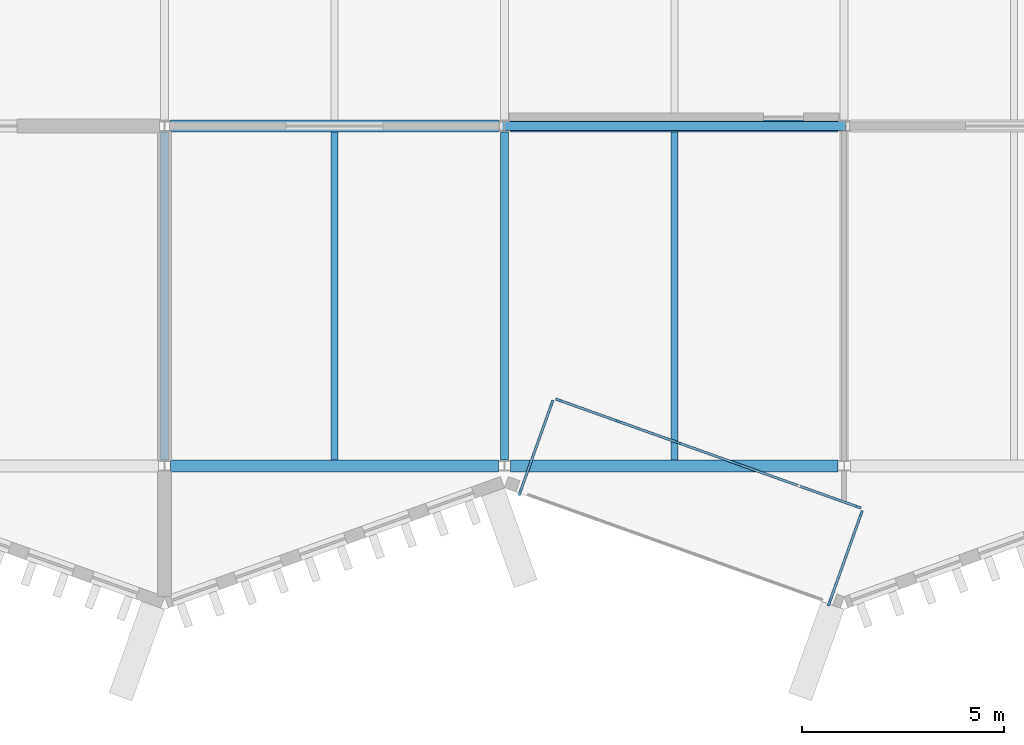
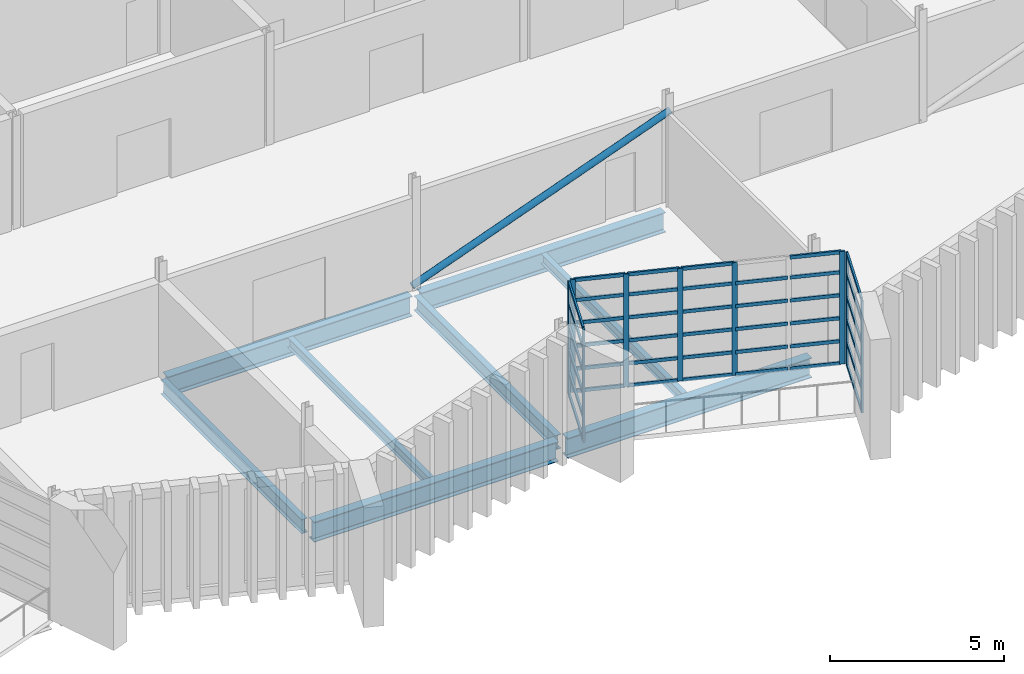
# One storey, part 18 of 88: 51 members, 8 beams, 3 elements without a shape of their own.
"""IFC4 building model written with IfcOpenShell, lengths in metres."""

from ifc_helpers import new_model, si_unit, direction, frame, origin, origin_2d, place, context, subcontext, project, spatial, rectangle, hollow_circle, i_section, extrude, material, layer, layer_set, material_profile, profile_set, type_object, element, aggregate, save


model = new_model("IFC4")

# Units and contexts
model_context = context("Model", 3, precision=1e-05, world=origin(), true_north=direction((0.0, 1.0)))
body_context = subcontext(model_context, "Body", "Model", "MODEL_VIEW")
ifc_project = project(units=[si_unit("LENGTHUNIT", "METRE"), si_unit("AREAUNIT", "SQUARE_METRE"), si_unit("VOLUMEUNIT", "CUBIC_METRE"), si_unit("PLANEANGLEUNIT", "RADIAN"), si_unit("MASSUNIT", "GRAM", prefix="KILO")], contexts=[model_context])

# Site, building, storey
site_placement = place(None, origin())
site = spatial("IfcSite", under=ifc_project, at=site_placement, CompositionType="ELEMENT")
building_placement = place(site_placement, origin())
building = spatial("IfcBuilding", under=site, at=building_placement, Name="Cresset Court Congress Hotel", CompositionType="ELEMENT")
storey_placement = place(building_placement, frame((0.0, 0.0, 14.39990234375)))
storey = spatial("IfcBuildingStorey", under=building, at=storey_placement, Name="L03", CompositionType="ELEMENT", Elevation=14.39990234375)

# Curtain wall, members
ifc_material_1 = material(Name="Aluminium frame with double glazing", Category="aluminium")
ifc_layer = layer(ifc_material_1, 0.199951171875)
ifc_layer_set = layer_set([ifc_layer], Name="Glazed box curtain wall 1680 module")
curtain_wall_type = type_object("IfcCurtainWallType", Name="Glazed box curtain wall 1680 module", PredefinedType="NOTDEFINED", material=ifc_layer_set)
curtain_wall_1_placement = place(storey_placement, origin())
curtain_wall_1 = element("IfcCurtainWall", 1, at=curtain_wall_1_placement, inside=storey, type_object=curtain_wall_type, Name="Glazed box S0308 front", PredefinedType="NOTDEFINED")
ifc_material_2 = material(Name="Aluminium", Category="aluminium")
ifc_material_profile_1 = material_profile(ifc_material_2, rectangle(XDim=0.06005859375, YDim=0.159912109375, at=origin_2d()), Name="Box mullion 60x160")
ifc_profile_set_1 = profile_set([ifc_material_profile_1], Name="Aluminium")
member_type_1 = type_object("IfcMemberType", Name="Box mullion 60x160", PredefinedType="MULLION", material=ifc_profile_set_1)
member_1_placement = place(storey_placement, frame((51.739990234375, 1.6259765625, 0.0), z_axis=(0.0, 0.0, 1.0), x_axis=(0.336336396981, 0.941741911601, 0.0)))
member_1 = element("IfcMember", 2, at=member_1_placement, type_object=member_type_1, Name="B-X1 mullion 1", PredefinedType="MULLION", context=body_context, shape_type="SweptSolid", body=[
    extrude(rectangle(XDim=0.06005859375, YDim=0.159912109375, at=origin_2d()), origin(), (0.0, 0.0, 1.0), 3.9501953125),
])
member_2_placement = place(storey_placement, frame((53.203369140625, 1.103515625, 0.0), z_axis=(0.0, 0.0, 1.0), x_axis=(0.336336396981, 0.941741911601, 0.0)))
member_2 = element("IfcMember", 3, at=member_2_placement, type_object=member_type_1, Name="B-X1 mullion 2", PredefinedType="MULLION", context=body_context, shape_type="SweptSolid", body=[
    extrude(rectangle(XDim=0.06005859375, YDim=0.159912109375, at=origin_2d()), origin(), (0.0, 0.0, 1.0), 3.9501953125),
])
member_3_placement = place(storey_placement, frame((54.695068359375, 0.57080078125, 0.0), z_axis=(0.0, 0.0, 1.0), x_axis=(0.336336396981, 0.941741911601, 0.0)))
member_3 = element("IfcMember", 4, at=member_3_placement, type_object=member_type_1, Name="B-X1 mullion 3", PredefinedType="MULLION", context=body_context, shape_type="SweptSolid", body=[
    extrude(rectangle(XDim=0.06005859375, YDim=0.159912109375, at=origin_2d()), origin(), (0.0, 0.0, 1.0), 3.9501953125),
])
member_4_placement = place(storey_placement, frame((56.186767578125, 0.0380859375, 0.0), z_axis=(0.0, 0.0, 1.0), x_axis=(0.336336396981, 0.941741911601, 0.0)))
member_4 = element("IfcMember", 5, at=member_4_placement, type_object=member_type_1, Name="B-X1 mullion 4", PredefinedType="MULLION", context=body_context, shape_type="SweptSolid", body=[
    extrude(rectangle(XDim=0.06005859375, YDim=0.159912109375, at=origin_2d()), origin(), (0.0, 0.0, 1.0), 3.9501953125),
])
member_5_placement = place(storey_placement, frame((59.1416015625, -1.017333984375, 0.0), z_axis=(0.0, 0.0, 1.0), x_axis=(0.336336396981, 0.941741911601, 0.0)))
member_5 = element("IfcMember", 6, at=member_5_placement, type_object=member_type_1, Name="B-X1 mullion 6", PredefinedType="MULLION", context=body_context, shape_type="SweptSolid", body=[
    extrude(rectangle(XDim=0.06005859375, YDim=0.159912109375, at=origin_2d()), origin(), (0.0, 0.0, 1.0), 3.9501953125),
])

curtain_wall_2_placement = place(storey_placement, origin())
curtain_wall_2 = element("IfcCurtainWall", 7, at=curtain_wall_2_placement, inside=storey, type_object=curtain_wall_type, Name="Glazed box S0308 side", PredefinedType="NOTDEFINED")
member_6_placement = place(storey_placement, frame((50.786865234375, -0.65625, 0.0), z_axis=(0.0, 0.0, 1.0), x_axis=(-0.941741911707, 0.336336396685, 0.0)))
member_6 = element("IfcMember", 8, at=member_6_placement, type_object=member_type_1, Name="B-X1 mullion 1", PredefinedType="MULLION", context=body_context, shape_type="SweptSolid", body=[
    extrude(rectangle(XDim=0.06005859375, YDim=0.159912109375, at=origin_2d()), origin(), (0.0, 0.0, 1.0), 3.9501953125),
])
member_7_placement = place(storey_placement, frame((51.57373046875, 1.54736328125, 0.0), z_axis=(0.0, 0.0, 1.0), x_axis=(-0.941741911707, 0.336336396685, 0.0)))
member_7 = element("IfcMember", 9, at=member_7_placement, type_object=member_type_1, Name="B-X1 mullion 2", PredefinedType="MULLION", context=body_context, shape_type="SweptSolid", body=[
    extrude(rectangle(XDim=0.06005859375, YDim=0.159912109375, at=origin_2d()), origin(), (0.0, 0.0, 1.0), 3.9501953125),
])

curtain_wall_3_placement = place(storey_placement, origin())
curtain_wall_3 = element("IfcCurtainWall", 10, at=curtain_wall_3_placement, inside=storey, type_object=curtain_wall_type, Name="Glazed box S0308 side", PredefinedType="NOTDEFINED")
member_8_placement = place(storey_placement, frame((58.433349609375, -3.38720703125, 0.0), z_axis=(0.0, 0.0, 1.0), x_axis=(-0.941741911578, 0.336336397047, 0.0)))
member_8 = element("IfcMember", 11, at=member_8_placement, type_object=member_type_1, Name="B-X1 mullion 1", PredefinedType="MULLION", context=body_context, shape_type="SweptSolid", body=[
    extrude(rectangle(XDim=0.06005859375, YDim=0.159912109375, at=origin_2d()), origin(), (0.0, 0.0, 1.0), 3.9501953125),
])
member_9_placement = place(storey_placement, frame((59.220458984375, -1.18359375, 0.0), z_axis=(0.0, 0.0, 1.0), x_axis=(-0.941741911578, 0.336336397047, 0.0)))
member_9 = element("IfcMember", 12, at=member_9_placement, type_object=member_type_1, Name="B-X1 mullion 2", PredefinedType="MULLION", context=body_context, shape_type="SweptSolid", body=[
    extrude(rectangle(XDim=0.06005859375, YDim=0.159912109375, at=origin_2d()), origin(), (0.0, 0.0, 1.0), 3.9501953125),
])

# Member
ifc_material_3 = material(Name="Aluminium", Category="aluminium")
ifc_material_profile_2 = material_profile(ifc_material_3, rectangle(XDim=0.06005859375, YDim=0.1201171875, at=origin_2d()), Name="Box transom 60x120")
ifc_profile_set_2 = profile_set([ifc_material_profile_2], Name="Aluminium")
member_type_2 = type_object("IfcMemberType", Name="Box transom 60x120", PredefinedType="USERDEFINED", material=ifc_profile_set_2)
member_10_placement = place(storey_placement, frame((51.768310546875, 1.615966796875, 0.030029296875), z_axis=(0.941734515945, -0.336357104098, 0.0), x_axis=(0.336357104098, 0.941734515945, 0.0)))
member_10 = element("IfcMember", 13, at=member_10_placement, type_object=member_type_2, Name="B-X1 transom 1.1", ObjectType="TRANSOM", PredefinedType="USERDEFINED", context=body_context, shape_type="SweptSolid", body=[
    extrude(rectangle(XDim=0.06005859375, YDim=0.1201171875, at=origin_2d()), origin(), (0.0, 0.0, 1.0), 1.49365234375),
])

member_11_placement = place(storey_placement, frame((51.768310546875, 1.615966796875, 0.80517578125), z_axis=(0.941734515945, -0.336357104098, 0.0), x_axis=(0.336357104098, 0.941734515945, 0.0)))
member_11 = element("IfcMember", 14, at=member_11_placement, type_object=member_type_2, Name="B-X1 transom 1.2", ObjectType="TRANSOM", PredefinedType="USERDEFINED", context=body_context, shape_type="SweptSolid", body=[
    extrude(rectangle(XDim=0.06005859375, YDim=0.1201171875, at=origin_2d()), origin(), (0.0, 0.0, 1.0), 1.49365234375),
])

member_12_placement = place(storey_placement, frame((51.768310546875, 1.615966796875, 1.610107421875), z_axis=(0.941734515945, -0.336357104098, 0.0), x_axis=(0.336357104098, 0.941734515945, 0.0)))
member_12 = element("IfcMember", 15, at=member_12_placement, type_object=member_type_2, Name="B-X1 transom 1.3", ObjectType="TRANSOM", PredefinedType="USERDEFINED", context=body_context, shape_type="SweptSolid", body=[
    extrude(rectangle(XDim=0.06005859375, YDim=0.1201171875, at=origin_2d()), origin(), (0.0, 0.0, 1.0), 1.49365234375),
])

member_13_placement = place(storey_placement, frame((51.768310546875, 1.615966796875, 2.4150390625), z_axis=(0.941734515945, -0.336357104098, 0.0), x_axis=(0.336357104098, 0.941734515945, 0.0)))
member_13 = element("IfcMember", 16, at=member_13_placement, type_object=member_type_2, Name="B-X1 transom 1.4", ObjectType="TRANSOM", PredefinedType="USERDEFINED", context=body_context, shape_type="SweptSolid", body=[
    extrude(rectangle(XDim=0.06005859375, YDim=0.1201171875, at=origin_2d()), origin(), (0.0, 0.0, 1.0), 1.49365234375),
])

member_14_placement = place(storey_placement, frame((51.768310546875, 1.615966796875, 3.22021484375), z_axis=(0.941734515945, -0.336357104098, 0.0), x_axis=(0.336357104098, 0.941734515945, 0.0)))
member_14 = element("IfcMember", 17, at=member_14_placement, type_object=member_type_2, Name="B-X1 transom 1.5", ObjectType="TRANSOM", PredefinedType="USERDEFINED", context=body_context, shape_type="SweptSolid", body=[
    extrude(rectangle(XDim=0.06005859375, YDim=0.1201171875, at=origin_2d()), origin(), (0.0, 0.0, 1.0), 1.49365234375),
])

member_15_placement = place(storey_placement, frame((51.768310546875, 1.615966796875, 3.920166015625), z_axis=(0.941734515945, -0.336357104098, 0.0), x_axis=(0.336357104098, 0.941734515945, 0.0)))
member_15 = element("IfcMember", 18, at=member_15_placement, type_object=member_type_2, Name="B-X1 transom 1.6", ObjectType="TRANSOM", PredefinedType="USERDEFINED", context=body_context, shape_type="SweptSolid", body=[
    extrude(rectangle(XDim=0.06005859375, YDim=0.1201171875, at=origin_2d()), origin(), (0.0, 0.0, 1.0), 1.49365234375),
])

member_16_placement = place(storey_placement, frame((53.231689453125, 1.09326171875, 0.030029296875), z_axis=(0.941756410009, -0.336295798675, 0.0), x_axis=(0.336295798675, 0.941756410009, 0.0)))
member_16 = element("IfcMember", 19, at=member_16_placement, type_object=member_type_2, Name="B-X1 transom 2.1", ObjectType="TRANSOM", PredefinedType="USERDEFINED", context=body_context, shape_type="SweptSolid", body=[
    extrude(rectangle(XDim=0.06005859375, YDim=0.1201171875, at=origin_2d()), origin(), (0.0, 0.0, 1.0), 1.52392578125),
])

member_17_placement = place(storey_placement, frame((53.231689453125, 1.09326171875, 0.80517578125), z_axis=(0.941756410009, -0.336295798675, 0.0), x_axis=(0.336295798675, 0.941756410009, 0.0)))
member_17 = element("IfcMember", 20, at=member_17_placement, type_object=member_type_2, Name="B-X1 transom 2.2", ObjectType="TRANSOM", PredefinedType="USERDEFINED", context=body_context, shape_type="SweptSolid", body=[
    extrude(rectangle(XDim=0.06005859375, YDim=0.1201171875, at=origin_2d()), origin(), (0.0, 0.0, 1.0), 1.52392578125),
])

member_18_placement = place(storey_placement, frame((53.231689453125, 1.09326171875, 1.610107421875), z_axis=(0.941756410009, -0.336295798675, 0.0), x_axis=(0.336295798675, 0.941756410009, 0.0)))
member_18 = element("IfcMember", 21, at=member_18_placement, type_object=member_type_2, Name="B-X1 transom 2.3", ObjectType="TRANSOM", PredefinedType="USERDEFINED", context=body_context, shape_type="SweptSolid", body=[
    extrude(rectangle(XDim=0.06005859375, YDim=0.1201171875, at=origin_2d()), origin(), (0.0, 0.0, 1.0), 1.52392578125),
])

member_19_placement = place(storey_placement, frame((53.231689453125, 1.09326171875, 2.4150390625), z_axis=(0.941756410009, -0.336295798675, 0.0), x_axis=(0.336295798675, 0.941756410009, 0.0)))
member_19 = element("IfcMember", 22, at=member_19_placement, type_object=member_type_2, Name="B-X1 transom 2.4", ObjectType="TRANSOM", PredefinedType="USERDEFINED", context=body_context, shape_type="SweptSolid", body=[
    extrude(rectangle(XDim=0.06005859375, YDim=0.1201171875, at=origin_2d()), origin(), (0.0, 0.0, 1.0), 1.52392578125),
])

member_20_placement = place(storey_placement, frame((53.231689453125, 1.09326171875, 3.22021484375), z_axis=(0.941756410009, -0.336295798675, 0.0), x_axis=(0.336295798675, 0.941756410009, 0.0)))
member_20 = element("IfcMember", 23, at=member_20_placement, type_object=member_type_2, Name="B-X1 transom 2.5", ObjectType="TRANSOM", PredefinedType="USERDEFINED", context=body_context, shape_type="SweptSolid", body=[
    extrude(rectangle(XDim=0.06005859375, YDim=0.1201171875, at=origin_2d()), origin(), (0.0, 0.0, 1.0), 1.52392578125),
])

member_21_placement = place(storey_placement, frame((53.231689453125, 1.09326171875, 3.920166015625), z_axis=(0.941756410009, -0.336295798675, 0.0), x_axis=(0.336295798675, 0.941756410009, 0.0)))
member_21 = element("IfcMember", 24, at=member_21_placement, type_object=member_type_2, Name="B-X1 transom 2.6", ObjectType="TRANSOM", PredefinedType="USERDEFINED", context=body_context, shape_type="SweptSolid", body=[
    extrude(rectangle(XDim=0.06005859375, YDim=0.1201171875, at=origin_2d()), origin(), (0.0, 0.0, 1.0), 1.52392578125),
])

member_22_placement = place(storey_placement, frame((54.723388671875, 0.560546875, 0.030029296875), z_axis=(0.941756410009, -0.336295798675, 0.0), x_axis=(0.336295798675, 0.941756410009, 0.0)))
member_22 = element("IfcMember", 25, at=member_22_placement, type_object=member_type_2, Name="B-X1 transom 3.1", ObjectType="TRANSOM", PredefinedType="USERDEFINED", context=body_context, shape_type="SweptSolid", body=[
    extrude(rectangle(XDim=0.06005859375, YDim=0.1201171875, at=origin_2d()), origin(), (0.0, 0.0, 1.0), 1.52392578125),
])

member_23_placement = place(storey_placement, frame((54.723388671875, 0.560546875, 0.80517578125), z_axis=(0.941756410009, -0.336295798675, 0.0), x_axis=(0.336295798675, 0.941756410009, 0.0)))
member_23 = element("IfcMember", 26, at=member_23_placement, type_object=member_type_2, Name="B-X1 transom 3.2", ObjectType="TRANSOM", PredefinedType="USERDEFINED", context=body_context, shape_type="SweptSolid", body=[
    extrude(rectangle(XDim=0.06005859375, YDim=0.1201171875, at=origin_2d()), origin(), (0.0, 0.0, 1.0), 1.52392578125),
])

member_24_placement = place(storey_placement, frame((54.723388671875, 0.560546875, 1.610107421875), z_axis=(0.941756410009, -0.336295798675, 0.0), x_axis=(0.336295798675, 0.941756410009, 0.0)))
member_24 = element("IfcMember", 27, at=member_24_placement, type_object=member_type_2, Name="B-X1 transom 3.3", ObjectType="TRANSOM", PredefinedType="USERDEFINED", context=body_context, shape_type="SweptSolid", body=[
    extrude(rectangle(XDim=0.06005859375, YDim=0.1201171875, at=origin_2d()), origin(), (0.0, 0.0, 1.0), 1.52392578125),
])

member_25_placement = place(storey_placement, frame((54.723388671875, 0.560546875, 2.4150390625), z_axis=(0.941756410009, -0.336295798675, 0.0), x_axis=(0.336295798675, 0.941756410009, 0.0)))
member_25 = element("IfcMember", 28, at=member_25_placement, type_object=member_type_2, Name="B-X1 transom 3.4", ObjectType="TRANSOM", PredefinedType="USERDEFINED", context=body_context, shape_type="SweptSolid", body=[
    extrude(rectangle(XDim=0.06005859375, YDim=0.1201171875, at=origin_2d()), origin(), (0.0, 0.0, 1.0), 1.52392578125),
])

member_26_placement = place(storey_placement, frame((54.723388671875, 0.560546875, 3.22021484375), z_axis=(0.941756410009, -0.336295798675, 0.0), x_axis=(0.336295798675, 0.941756410009, 0.0)))
member_26 = element("IfcMember", 29, at=member_26_placement, type_object=member_type_2, Name="B-X1 transom 3.5", ObjectType="TRANSOM", PredefinedType="USERDEFINED", context=body_context, shape_type="SweptSolid", body=[
    extrude(rectangle(XDim=0.06005859375, YDim=0.1201171875, at=origin_2d()), origin(), (0.0, 0.0, 1.0), 1.52392578125),
])

member_27_placement = place(storey_placement, frame((54.723388671875, 0.560546875, 3.920166015625), z_axis=(0.941756410009, -0.336295798675, 0.0), x_axis=(0.336295798675, 0.941756410009, 0.0)))
member_27 = element("IfcMember", 30, at=member_27_placement, type_object=member_type_2, Name="B-X1 transom 3.6", ObjectType="TRANSOM", PredefinedType="USERDEFINED", context=body_context, shape_type="SweptSolid", body=[
    extrude(rectangle(XDim=0.06005859375, YDim=0.1201171875, at=origin_2d()), origin(), (0.0, 0.0, 1.0), 1.52392578125),
])

member_28_placement = place(storey_placement, frame((56.21484375, 0.02783203125, 0.030029296875), z_axis=(0.941774525646, -0.336245063673, 0.0), x_axis=(0.336245063673, 0.941774525646, 0.0)))
member_28 = element("IfcMember", 31, at=member_28_placement, type_object=member_type_2, Name="B-X1 transom 4.1", ObjectType="TRANSOM", PredefinedType="USERDEFINED", context=body_context, shape_type="SweptSolid", body=[
    extrude(rectangle(XDim=0.06005859375, YDim=0.1201171875, at=origin_2d()), origin(), (0.0, 0.0, 1.0), 1.52392578125),
])

member_29_placement = place(storey_placement, frame((56.21484375, 0.02783203125, 0.80517578125), z_axis=(0.941774525646, -0.336245063673, 0.0), x_axis=(0.336245063673, 0.941774525646, 0.0)))
member_29 = element("IfcMember", 32, at=member_29_placement, type_object=member_type_2, Name="B-X1 transom 4.2", ObjectType="TRANSOM", PredefinedType="USERDEFINED", context=body_context, shape_type="SweptSolid", body=[
    extrude(rectangle(XDim=0.06005859375, YDim=0.1201171875, at=origin_2d()), origin(), (0.0, 0.0, 1.0), 1.52392578125),
])

member_30_placement = place(storey_placement, frame((56.21484375, 0.02783203125, 1.610107421875), z_axis=(0.941774525646, -0.336245063673, 0.0), x_axis=(0.336245063673, 0.941774525646, 0.0)))
member_30 = element("IfcMember", 33, at=member_30_placement, type_object=member_type_2, Name="B-X1 transom 4.3", ObjectType="TRANSOM", PredefinedType="USERDEFINED", context=body_context, shape_type="SweptSolid", body=[
    extrude(rectangle(XDim=0.06005859375, YDim=0.1201171875, at=origin_2d()), origin(), (0.0, 0.0, 1.0), 1.52392578125),
])

member_31_placement = place(storey_placement, frame((56.21484375, 0.02783203125, 2.4150390625), z_axis=(0.941774525646, -0.336245063673, 0.0), x_axis=(0.336245063673, 0.941774525646, 0.0)))
member_31 = element("IfcMember", 34, at=member_31_placement, type_object=member_type_2, Name="B-X1 transom 4.4", ObjectType="TRANSOM", PredefinedType="USERDEFINED", context=body_context, shape_type="SweptSolid", body=[
    extrude(rectangle(XDim=0.06005859375, YDim=0.1201171875, at=origin_2d()), origin(), (0.0, 0.0, 1.0), 1.52392578125),
])

member_32_placement = place(storey_placement, frame((56.21484375, 0.02783203125, 3.22021484375), z_axis=(0.941774525646, -0.336245063673, 0.0), x_axis=(0.336245063673, 0.941774525646, 0.0)))
member_32 = element("IfcMember", 35, at=member_32_placement, type_object=member_type_2, Name="B-X1 transom 4.5", ObjectType="TRANSOM", PredefinedType="USERDEFINED", context=body_context, shape_type="SweptSolid", body=[
    extrude(rectangle(XDim=0.06005859375, YDim=0.1201171875, at=origin_2d()), origin(), (0.0, 0.0, 1.0), 1.52392578125),
])

member_33_placement = place(storey_placement, frame((57.70654296875, -0.5048828125, 0.030029296875), z_axis=(0.941753002509, -0.336305340823, 0.0), x_axis=(0.336305340823, 0.941753002509, 0.0)))
member_33 = element("IfcMember", 36, at=member_33_placement, type_object=member_type_2, Name="B-X1 transom 5.1", ObjectType="TRANSOM", PredefinedType="USERDEFINED", context=body_context, shape_type="SweptSolid", body=[
    extrude(rectangle(XDim=0.06005859375, YDim=0.1201171875, at=origin_2d()), origin(), (0.0, 0.0, 1.0), 1.493896484375),
])

member_34_placement = place(storey_placement, frame((57.70654296875, -0.5048828125, 0.80517578125), z_axis=(0.941753002509, -0.336305340823, 0.0), x_axis=(0.336305340823, 0.941753002509, 0.0)))
member_34 = element("IfcMember", 37, at=member_34_placement, type_object=member_type_2, Name="B-X1 transom 5.2", ObjectType="TRANSOM", PredefinedType="USERDEFINED", context=body_context, shape_type="SweptSolid", body=[
    extrude(rectangle(XDim=0.06005859375, YDim=0.1201171875, at=origin_2d()), origin(), (0.0, 0.0, 1.0), 1.493896484375),
])

member_35_placement = place(storey_placement, frame((57.70654296875, -0.5048828125, 1.610107421875), z_axis=(0.941753002509, -0.336305340823, 0.0), x_axis=(0.336305340823, 0.941753002509, 0.0)))
member_35 = element("IfcMember", 38, at=member_35_placement, type_object=member_type_2, Name="B-X1 transom 5.3", ObjectType="TRANSOM", PredefinedType="USERDEFINED", context=body_context, shape_type="SweptSolid", body=[
    extrude(rectangle(XDim=0.06005859375, YDim=0.1201171875, at=origin_2d()), origin(), (0.0, 0.0, 1.0), 1.493896484375),
])

member_36_placement = place(storey_placement, frame((57.70654296875, -0.5048828125, 2.4150390625), z_axis=(0.941753002509, -0.336305340823, 0.0), x_axis=(0.336305340823, 0.941753002509, 0.0)))
member_36 = element("IfcMember", 39, at=member_36_placement, type_object=member_type_2, Name="B-X1 transom 5.4", ObjectType="TRANSOM", PredefinedType="USERDEFINED", context=body_context, shape_type="SweptSolid", body=[
    extrude(rectangle(XDim=0.06005859375, YDim=0.1201171875, at=origin_2d()), origin(), (0.0, 0.0, 1.0), 1.493896484375),
])

member_37_placement = place(storey_placement, frame((57.70654296875, -0.5048828125, 3.22021484375), z_axis=(0.941753002509, -0.336305340823, 0.0), x_axis=(0.336305340823, 0.941753002509, 0.0)))
member_37 = element("IfcMember", 40, at=member_37_placement, type_object=member_type_2, Name="B-X1 transom 5.5", ObjectType="TRANSOM", PredefinedType="USERDEFINED", context=body_context, shape_type="SweptSolid", body=[
    extrude(rectangle(XDim=0.06005859375, YDim=0.1201171875, at=origin_2d()), origin(), (0.0, 0.0, 1.0), 1.493896484375),
])

member_38_placement = place(storey_placement, frame((57.70654296875, -0.5048828125, 3.920166015625), z_axis=(0.941753002509, -0.336305340823, 0.0), x_axis=(0.336305340823, 0.941753002509, 0.0)))
member_38 = element("IfcMember", 41, at=member_38_placement, type_object=member_type_2, Name="B-X1 transom 5.6", ObjectType="TRANSOM", PredefinedType="USERDEFINED", context=body_context, shape_type="SweptSolid", body=[
    extrude(rectangle(XDim=0.06005859375, YDim=0.1201171875, at=origin_2d()), origin(), (0.0, 0.0, 1.0), 1.493896484375),
])

aggregate(curtain_wall_1, [member_1, member_2, member_3, member_4, member_5, member_10, member_11, member_12, member_13, member_14, member_15, member_16, member_17, member_18, member_19, member_20, member_21, member_22, member_23, member_24, member_25, member_26, member_27, member_28, member_29, member_30, member_31, member_32, member_33, member_34, member_35, member_36, member_37, member_38])

member_39_placement = place(storey_placement, frame((50.796875, -0.6279296875, 0.030029296875), z_axis=(0.336363532289, 0.941732219979, 0.0), x_axis=(-0.941732219979, 0.336363532289, 0.0)))
member_39 = element("IfcMember", 42, at=member_39_placement, type_object=member_type_2, Name="B-X1 transom 1.1", ObjectType="TRANSOM", PredefinedType="USERDEFINED", context=body_context, shape_type="SweptSolid", body=[
    extrude(rectangle(XDim=0.06005859375, YDim=0.1201171875, at=origin_2d()), origin(), (0.0, 0.0, 1.0), 2.27978515625),
])

member_40_placement = place(storey_placement, frame((50.796875, -0.6279296875, 0.80517578125), z_axis=(0.336363532289, 0.941732219979, 0.0), x_axis=(-0.941732219979, 0.336363532289, 0.0)))
member_40 = element("IfcMember", 43, at=member_40_placement, type_object=member_type_2, Name="B-X1 transom 1.2", ObjectType="TRANSOM", PredefinedType="USERDEFINED", context=body_context, shape_type="SweptSolid", body=[
    extrude(rectangle(XDim=0.06005859375, YDim=0.1201171875, at=origin_2d()), origin(), (0.0, 0.0, 1.0), 2.27978515625),
])

member_41_placement = place(storey_placement, frame((50.796875, -0.6279296875, 1.610107421875), z_axis=(0.336363532289, 0.941732219979, 0.0), x_axis=(-0.941732219979, 0.336363532289, 0.0)))
member_41 = element("IfcMember", 44, at=member_41_placement, type_object=member_type_2, Name="B-X1 transom 1.3", ObjectType="TRANSOM", PredefinedType="USERDEFINED", context=body_context, shape_type="SweptSolid", body=[
    extrude(rectangle(XDim=0.06005859375, YDim=0.1201171875, at=origin_2d()), origin(), (0.0, 0.0, 1.0), 2.27978515625),
])

member_42_placement = place(storey_placement, frame((50.796875, -0.6279296875, 2.4150390625), z_axis=(0.336363532289, 0.941732219979, 0.0), x_axis=(-0.941732219979, 0.336363532289, 0.0)))
member_42 = element("IfcMember", 45, at=member_42_placement, type_object=member_type_2, Name="B-X1 transom 1.4", ObjectType="TRANSOM", PredefinedType="USERDEFINED", context=body_context, shape_type="SweptSolid", body=[
    extrude(rectangle(XDim=0.06005859375, YDim=0.1201171875, at=origin_2d()), origin(), (0.0, 0.0, 1.0), 2.27978515625),
])

member_43_placement = place(storey_placement, frame((50.796875, -0.6279296875, 3.22021484375), z_axis=(0.336363532289, 0.941732219979, 0.0), x_axis=(-0.941732219979, 0.336363532289, 0.0)))
member_43 = element("IfcMember", 46, at=member_43_placement, type_object=member_type_2, Name="B-X1 transom 1.5", ObjectType="TRANSOM", PredefinedType="USERDEFINED", context=body_context, shape_type="SweptSolid", body=[
    extrude(rectangle(XDim=0.06005859375, YDim=0.1201171875, at=origin_2d()), origin(), (0.0, 0.0, 1.0), 2.27978515625),
])

member_44_placement = place(storey_placement, frame((50.796875, -0.6279296875, 3.920166015625), z_axis=(0.336363532289, 0.941732219979, 0.0), x_axis=(-0.941732219979, 0.336363532289, 0.0)))
member_44 = element("IfcMember", 47, at=member_44_placement, type_object=member_type_2, Name="B-X1 transom 1.6", ObjectType="TRANSOM", PredefinedType="USERDEFINED", context=body_context, shape_type="SweptSolid", body=[
    extrude(rectangle(XDim=0.06005859375, YDim=0.1201171875, at=origin_2d()), origin(), (0.0, 0.0, 1.0), 2.27978515625),
])

aggregate(curtain_wall_2, [member_6, member_7, member_39, member_40, member_41, member_42, member_43, member_44])

member_45_placement = place(storey_placement, frame((58.443603515625, -3.35888671875, 0.030029296875), z_axis=(0.336329613816, 0.941744334132, 0.0), x_axis=(-0.941744334132, 0.336329613816, 0.0)))
member_45 = element("IfcMember", 48, at=member_45_placement, type_object=member_type_2, Name="B-X1 transom 1.1", ObjectType="TRANSOM", PredefinedType="USERDEFINED", context=body_context, shape_type="SweptSolid", body=[
    extrude(rectangle(XDim=0.06005859375, YDim=0.1201171875, at=origin_2d()), origin(), (0.0, 0.0, 1.0), 2.280029296875),
])

member_46_placement = place(storey_placement, frame((58.443603515625, -3.35888671875, 0.80517578125), z_axis=(0.336329613816, 0.941744334132, 0.0), x_axis=(-0.941744334132, 0.336329613816, 0.0)))
member_46 = element("IfcMember", 49, at=member_46_placement, type_object=member_type_2, Name="B-X1 transom 1.2", ObjectType="TRANSOM", PredefinedType="USERDEFINED", context=body_context, shape_type="SweptSolid", body=[
    extrude(rectangle(XDim=0.06005859375, YDim=0.1201171875, at=origin_2d()), origin(), (0.0, 0.0, 1.0), 2.280029296875),
])

member_47_placement = place(storey_placement, frame((58.443603515625, -3.35888671875, 1.610107421875), z_axis=(0.336329613816, 0.941744334132, 0.0), x_axis=(-0.941744334132, 0.336329613816, 0.0)))
member_47 = element("IfcMember", 50, at=member_47_placement, type_object=member_type_2, Name="B-X1 transom 1.3", ObjectType="TRANSOM", PredefinedType="USERDEFINED", context=body_context, shape_type="SweptSolid", body=[
    extrude(rectangle(XDim=0.06005859375, YDim=0.1201171875, at=origin_2d()), origin(), (0.0, 0.0, 1.0), 2.280029296875),
])

member_48_placement = place(storey_placement, frame((58.443603515625, -3.35888671875, 2.4150390625), z_axis=(0.336329613816, 0.941744334132, 0.0), x_axis=(-0.941744334132, 0.336329613816, 0.0)))
member_48 = element("IfcMember", 51, at=member_48_placement, type_object=member_type_2, Name="B-X1 transom 1.4", ObjectType="TRANSOM", PredefinedType="USERDEFINED", context=body_context, shape_type="SweptSolid", body=[
    extrude(rectangle(XDim=0.06005859375, YDim=0.1201171875, at=origin_2d()), origin(), (0.0, 0.0, 1.0), 2.280029296875),
])

member_49_placement = place(storey_placement, frame((58.443603515625, -3.35888671875, 3.22021484375), z_axis=(0.336329613816, 0.941744334132, 0.0), x_axis=(-0.941744334132, 0.336329613816, 0.0)))
member_49 = element("IfcMember", 52, at=member_49_placement, type_object=member_type_2, Name="B-X1 transom 1.5", ObjectType="TRANSOM", PredefinedType="USERDEFINED", context=body_context, shape_type="SweptSolid", body=[
    extrude(rectangle(XDim=0.06005859375, YDim=0.1201171875, at=origin_2d()), origin(), (0.0, 0.0, 1.0), 2.280029296875),
])

member_50_placement = place(storey_placement, frame((58.443603515625, -3.35888671875, 3.920166015625), z_axis=(0.336329613816, 0.941744334132, 0.0), x_axis=(-0.941744334132, 0.336329613816, 0.0)))
member_50 = element("IfcMember", 53, at=member_50_placement, type_object=member_type_2, Name="B-X1 transom 1.6", ObjectType="TRANSOM", PredefinedType="USERDEFINED", context=body_context, shape_type="SweptSolid", body=[
    extrude(rectangle(XDim=0.06005859375, YDim=0.1201171875, at=origin_2d()), origin(), (0.0, 0.0, 1.0), 2.280029296875),
])

aggregate(curtain_wall_3, [member_8, member_9, member_45, member_46, member_47, member_48, member_49, member_50])

# Beams
ifc_material_4 = material(Name="Structural steel Q355B", Category="steel")
ifc_material_profile_3 = material_profile(ifc_material_4, i_section(OverallWidth=0.199951171875, OverallDepth=0.5, WebThickness=0.010009765625, FlangeThickness=0.01611328125, FilletRadius=0.012939453125, at=origin_2d()), Name="HN500x200x10x16")
ifc_profile_set_3 = profile_set([ifc_material_profile_3], Name="Structural steel Q355B")
beam_type_1 = type_object("IfcBeamType", Name="Steel beam HN500x200x10x16", PredefinedType="BEAM", material=ifc_profile_set_3)
for number, where, z_axis, x_axis, name in (
    (54, (42.0, 0.14990234375, -0.39990234375), (0.0, 1.0, 0.0), (-1.0, 0.0, 0.0), "B.by.L03.06A"),
    (55, (50.39990234375, 0.14990234375, -0.39990234375), (0.0, 1.0, 0.0), (-1.0, 0.0, 0.0), "B.by.L03.07A"),
):
    element("IfcBeam", number, at=place(storey_placement, frame(where, z_axis=z_axis, x_axis=x_axis)), inside=storey, type_object=beam_type_1, Name=name, PredefinedType="BEAM", context=body_context, shape_type="SweptSolid", body=[
        extrude(i_section(OverallWidth=0.199951171875, OverallDepth=0.5, WebThickness=0.010009765625, FlangeThickness=0.01611328125, FilletRadius=0.012939453125, at=origin_2d()), origin(), (0.0, 0.0, 1.0), 8.10009765625),
    ])
ifc_material_5 = material(Name="Structural steel Q355B", Category="steel")
ifc_material_profile_4 = material_profile(ifc_material_5, i_section(OverallWidth=0.300048828125, OverallDepth=0.699951171875, WebThickness=0.012939453125, FlangeThickness=0.02392578125, FilletRadius=0.01806640625, at=origin_2d()), Name="HN700x300x13x24")
ifc_profile_set_4 = profile_set([ifc_material_profile_4], Name="Structural steel Q355B")
beam_type_2 = type_object("IfcBeamType", Name="Steel beam HN700x300x13x24", PredefinedType="BEAM", material=ifc_profile_set_4)
beam_1_placement = place(storey_placement, frame((42.14990234375, 0.0, -0.5), z_axis=(1.0, 0.0, 0.0), x_axis=(0.0, 1.0, 0.0)))
element("IfcBeam", 56, at=beam_1_placement, inside=storey, type_object=beam_type_2, Name="B.bx.L03.A06", PredefinedType="BEAM", context=body_context, shape_type="SweptSolid", body=[
    extrude(i_section(OverallWidth=0.300048828125, OverallDepth=0.699951171875, WebThickness=0.012939453125, FlangeThickness=0.02392578125, FilletRadius=0.01806640625, at=origin_2d()), origin(), (0.0, 0.0, 1.0), 8.10009765625),
])
beam_2_placement = place(storey_placement, frame((50.550048828125, 0.0, -0.5), z_axis=(1.0, 0.0, 0.0), x_axis=(0.0, 1.0, 0.0)))
element("IfcBeam", 57, at=beam_2_placement, inside=storey, type_object=beam_type_2, Name="B.bx.L03.A07", PredefinedType="BEAM", context=body_context, shape_type="SweptSolid", body=[
    extrude(i_section(OverallWidth=0.300048828125, OverallDepth=0.699951171875, WebThickness=0.012939453125, FlangeThickness=0.02392578125, FilletRadius=0.01806640625, at=origin_2d()), origin(), (0.0, 0.0, 1.0), 8.099853515625),
])
beam_3_placement = place(storey_placement, frame((42.14990234375, 8.39990234375, -0.5), z_axis=(1.0, 0.0, 0.0), x_axis=(0.0, 1.0, 0.0)))
element("IfcBeam", 58, at=beam_3_placement, inside=storey, type_object=beam_type_2, Name="B.bx.L03.B06", PredefinedType="BEAM", context=body_context, shape_type="SweptSolid", body=[
    extrude(i_section(OverallWidth=0.300048828125, OverallDepth=0.699951171875, WebThickness=0.012939453125, FlangeThickness=0.02392578125, FilletRadius=0.01806640625, at=origin_2d()), origin(), (0.0, 0.0, 1.0), 8.10009765625),
])
beam_4_placement = place(storey_placement, frame((50.550048828125, 8.39990234375, -0.5), z_axis=(1.0, 0.0, 0.0), x_axis=(0.0, 1.0, 0.0)))
element("IfcBeam", 59, at=beam_4_placement, inside=storey, type_object=beam_type_2, Name="B.bx.L03.B07", PredefinedType="BEAM", context=body_context, shape_type="SweptSolid", body=[
    extrude(i_section(OverallWidth=0.300048828125, OverallDepth=0.699951171875, WebThickness=0.012939453125, FlangeThickness=0.02392578125, FilletRadius=0.01806640625, at=origin_2d()), origin(), (0.0, 0.0, 1.0), 8.099853515625),
])

# Member
ifc_material_6 = material(Name="Structural steel Q355B", Category="steel")
ifc_material_profile_5 = material_profile(ifc_material_6, hollow_circle(Radius=0.109619140625, WallThickness=0.010009765625, at=origin_2d()), Name="CHS219x10")
ifc_profile_set_5 = profile_set([ifc_material_profile_5], Name="Structural steel Q355B")
member_type_3 = type_object("IfcMemberType", Name="Steel brace CHS219x10", PredefinedType="BRACE", material=ifc_profile_set_5)
member_51_placement = place(storey_placement, frame((50.324951171875, 8.39990234375, 0.10009765625), z_axis=(0.937990522981, 0.0, 0.346660898859), x_axis=(0.0, 1.0, 0.0)))
element("IfcMember", 60, at=member_51_placement, inside=storey, type_object=member_type_3, Name="Brace L03 7", PredefinedType="BRACE", context=body_context, shape_type="SweptSolid", body=[
    extrude(hollow_circle(Radius=0.109619140625, WallThickness=0.010009765625, at=origin_2d()), origin(), (0.0, 0.0, 1.0), 9.115234375),
])

# Beams
ifc_material_7 = material(Name="Structural steel Q355B", Category="steel")
ifc_material_profile_6 = material_profile(ifc_material_7, i_section(OverallWidth=0.175048828125, OverallDepth=0.35009765625, WebThickness=0.007080078125, FlangeThickness=0.010986328125, FilletRadius=0.012939453125, at=origin_2d()), Name="HN350x175x7x11")
ifc_profile_set_6 = profile_set([ifc_material_profile_6], Name="Structural steel Q355B")
beam_type_3 = type_object("IfcBeamType", Name="Steel joist HN350x175x7x11", PredefinedType="JOIST", material=ifc_profile_set_6)
for number, where, z_axis, x_axis, name in (
    (61, (46.199951171875, 0.14990234375, -0.324951171875), (0.0, 1.0, 0.0), (-1.0, 0.0, 0.0), "B.bj.L03.06A"),
    (62, (54.60009765625, 0.14990234375, -0.324951171875), (0.0, 1.0, 0.0), (-1.0, 0.0, 0.0), "B.bj.L03.07A"),
):
    element("IfcBeam", number, at=place(storey_placement, frame(where, z_axis=z_axis, x_axis=x_axis)), inside=storey, type_object=beam_type_3, Name=name, PredefinedType="JOIST", context=body_context, shape_type="SweptSolid", body=[
        extrude(i_section(OverallWidth=0.175048828125, OverallDepth=0.35009765625, WebThickness=0.007080078125, FlangeThickness=0.010986328125, FilletRadius=0.012939453125, at=origin_2d()), origin(), (0.0, 0.0, 1.0), 8.10009765625),
    ])

save(model, "model.ifc")
